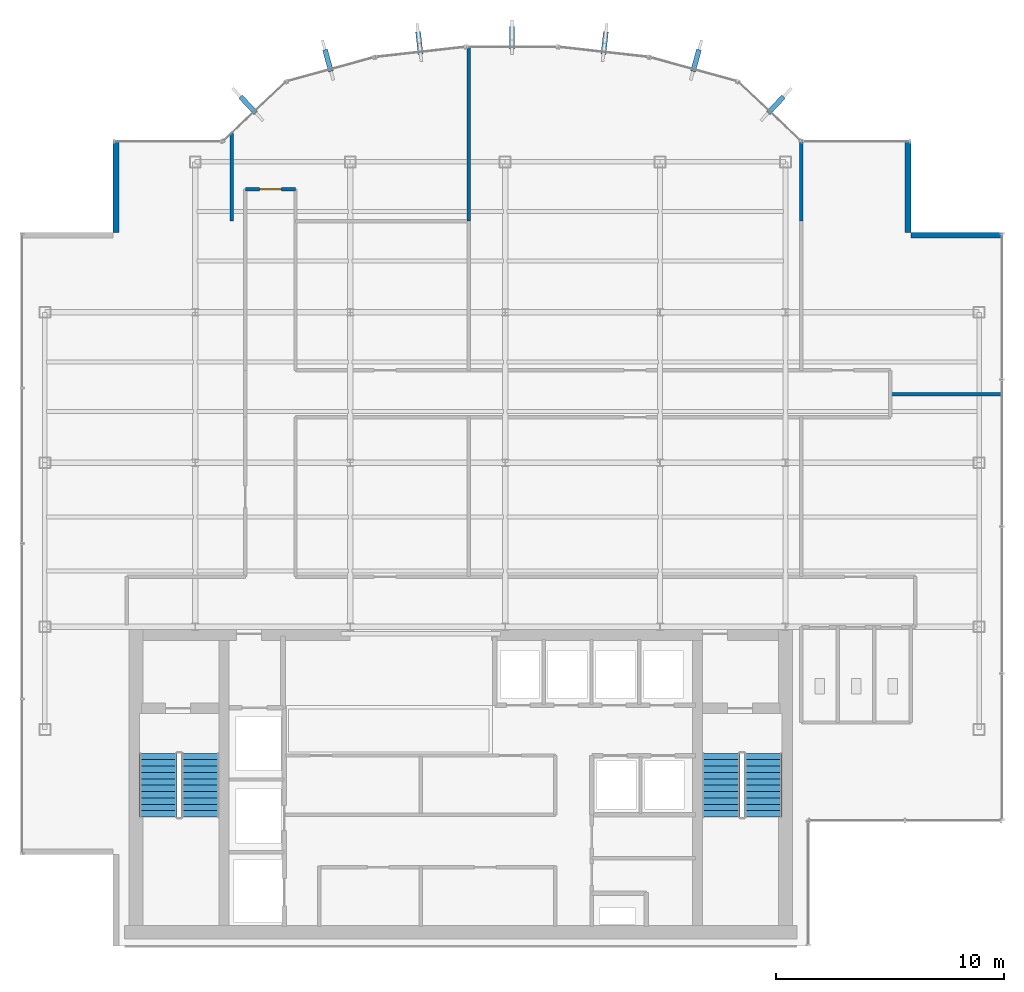
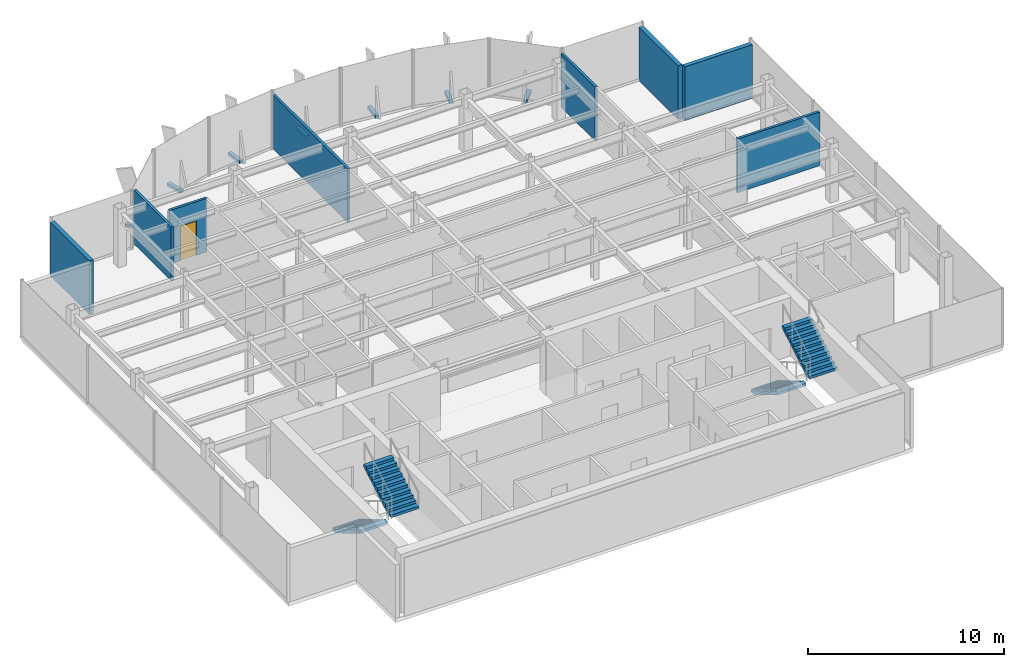
# One storey, part 19 of 22: 8 walls, 7 discrete accessories, 4 stair flights, 1 door, 1 opening, 2 elements without a shape of their own.
"""IFC4 building model written with IfcOpenShell, lengths in metres."""

from ifc_helpers import new_model, si_unit, derived_unit, direction, frame, frame_2d, origin, origin_2d, place, context, subcontext, project, spatial, polyline, rectangle, outline, extrude, source, transform, mapped, material, layer, layer_set, type_object, element, fill, aggregate, save


model = new_model("IFC4")

# Units and contexts
model_context = context("Model", 3, precision=1e-05, world=origin(), true_north=direction((0.0, 1.0)))
body_context = subcontext(model_context, "Body", "Model", "MODEL_VIEW")
ifc_project = project(units=[si_unit("LENGTHUNIT", "METRE"), si_unit("AREAUNIT", "SQUARE_METRE"), si_unit("VOLUMEUNIT", "CUBIC_METRE"), si_unit("PLANEANGLEUNIT", "RADIAN"), si_unit("MASSUNIT", "GRAM", prefix="KILO"), derived_unit("THERMALTRANSMITTANCEUNIT", [(si_unit("POWERUNIT", "WATT"), 1), (si_unit("LENGTHUNIT", "METRE"), -2), (si_unit("THERMODYNAMICTEMPERATUREUNIT", "KELVIN"), -1)])], contexts=[model_context])

# Site, building, storey
site_placement = place(None, origin())
site = spatial("IfcSite", under=ifc_project, at=site_placement, CompositionType="ELEMENT")
building_placement = place(site_placement, origin())
building = spatial("IfcBuilding", under=site, at=building_placement, Name="Skarnbrae Concourse Arena and Tower", CompositionType="ELEMENT")
storey_placement = place(building_placement, frame((0.0, 0.0, 232.39990234375)))
storey = spatial("IfcBuildingStorey", under=building, at=storey_placement, Name="L60", CompositionType="ELEMENT", Elevation=232.39990234375)

# Walls
ifc_material_1 = material(Name="Precast concrete 40 MPa (C40/50)", Category="concrete")
ifc_layer_1 = layer(ifc_material_1, 0.25)
ifc_layer_set_1 = layer_set([ifc_layer_1], Name="Precast concrete 40 MPa (C40/50)")
wall_type_1 = type_object("IfcWallType", Name="WALL-EXT-SPANDREL-250", PredefinedType="STANDARD", material=ifc_layer_set_1)
shared_shape_1 = source(origin(), body_context, "Body", "SweptSolid", [
    extrude(rectangle(XDim=4.0, YDim=0.25, at=frame_2d((2.0, 0.0))), origin(), (0.0, 0.0, 1.0), 3.35009765625),
])
for number, where, z_axis, x_axis, name in (
    (1, (43.0, 31.175048828125, 0.0), (0.0, 0.0, 1.0), (-1.0, 0.0, 0.0), "L60 Notched corner insulated return wall 05"),
    (2, (38.875, 31.300048828125, 0.0), (0.0, 0.0, 1.0), (0.0, 1.0, 0.0), "L60 Notched corner insulated return wall 06"),
    (3, (4.125, 35.300048828125, 0.0), (0.0, 0.0, 1.0), (0.0, -1.0, 0.0), "L60 Notched corner insulated return wall 16"),
):
    element("IfcWall", number, at=place(storey_placement, frame(where, z_axis=z_axis, x_axis=x_axis)), inside=storey, type_object=wall_type_1, Name=name, PredefinedType="STANDARD", context=body_context, shape_type="MappedRepresentation", body=[
        mapped(shared_shape_1, transform((0.0, 0.0, 0.0))),
    ])

# Wall, opening, door
ifc_material_2 = material(Name="Gypsum board on cold-formed steel studs", Category="steel")
ifc_layer_2 = layer(ifc_material_2, 0.14990234375)
ifc_layer_set_2 = layer_set([ifc_layer_2], Name="Gypsum board on cold-formed steel studs")
wall_type_2 = type_object("IfcWallType", Name="WALL-PART-150-1HR", PredefinedType="PARTITIONING", material=ifc_layer_set_2)
shared_shape_2 = source(origin(), body_context, "Body", "SweptSolid", [
    extrude(rectangle(XDim=2.199951171875, YDim=0.14990234375, at=frame_2d((1.10009765625, 0.0))), origin(), (0.0, 0.0, 1.0), 3.35009765625),
])
wall_1_placement = place(storey_placement, frame((9.800048828125, 33.199951171875, 0.0), z_axis=(0.0, 0.0, 1.0), x_axis=(1.0, 0.0, 0.0)))
wall_1 = element("IfcWall", 4, at=wall_1_placement, inside=storey, type_object=wall_type_2, Name="L60 Interior partition wall W-L60-COR-06", PredefinedType="PARTITIONING", context=body_context, shape_type="MappedRepresentation", body=[
    mapped(shared_shape_2, transform((0.0, 0.0, 0.0))),
])
opening_placement = place(wall_1_placement, frame((0.625, 0.0, 0.0)))
opening = element("IfcOpeningElement", 5, at=opening_placement, cuts=wall_1, Name="Opening DT-04", PredefinedType="OPENING", context=body_context, shape_type="SweptSolid", body=[
    extrude(rectangle(XDim=0.949951171875, YDim=2.14990234375, at=frame_2d((0.47509765625, 1.074951171875))), frame((0.0, 0.0849609375, 0.0), z_axis=(0.0, -1.0, 0.0), x_axis=(1.0, 0.0, 0.0)), (0.0, 0.0, 1.0), 0.169921875),
])
ifc_material_3 = material(Name="Steel CSA G40.21 350W", Category="steel")
door_type = type_object("IfcDoorType", Name="DOOR-INT-950-45M", OperationType="NOTDEFINED", PredefinedType="DOOR", material=ifc_material_3)
shared_shape_3 = source(origin(), body_context, "Body", "SweptSolid", [
    extrude(rectangle(XDim=0.949951171875, YDim=2.14990234375, at=frame_2d((0.47509765625, 1.074951171875))), frame((0.0, 0.02490234375, 0.0), z_axis=(0.0, -1.0, 0.0), x_axis=(1.0, 0.0, 0.0)), (0.0, 0.0, 1.0), 0.050048828125),
])
door_placement = place(opening_placement, origin())
door = element("IfcDoor", 6, at=door_placement, inside=storey, type_object=door_type, Name="D-1841 L60 Suite Door 02", OperationType="SINGLE_SWING_LEFT", OverallHeight=2.14990234375, OverallWidth=0.949951171875, PredefinedType="DOOR", context=body_context, shape_type="MappedRepresentation", body=[
    mapped(shared_shape_3, transform((0.0, 0.0, 0.0))),
])
fill(opening, door)

# Walls
ifc_layer_3 = layer(ifc_material_2, 0.14990234375)
ifc_layer_set_3 = layer_set([ifc_layer_3], Name="Gypsum board on cold-formed steel studs")
wall_type_3 = type_object("IfcWallType", Name="WALL-PART-150", PredefinedType="PARTITIONING", material=ifc_layer_set_3)
shared_shape_4 = source(origin(), body_context, "Body", "SweptSolid", [
    extrude(rectangle(XDim=3.84912109375, YDim=0.14990234375, at=frame_2d((1.924560546875, 0.0))), origin(), (0.0, 0.0, 1.0), 3.35009765625),
])
wall_2_placement = place(storey_placement, frame((9.199951171875, 35.649169921875, 0.0), z_axis=(0.0, 0.0, 1.0), x_axis=(0.0, -1.0, 0.0)))
element("IfcWall", 7, at=wall_2_placement, inside=storey, type_object=wall_type_3, Name="L60 Interior partition wall W-L60-DEM-15", PredefinedType="PARTITIONING", context=body_context, shape_type="MappedRepresentation", body=[
    mapped(shared_shape_4, transform((0.0, 0.0, 0.0))),
])
shared_shape_5 = source(origin(), body_context, "Body", "SweptSolid", [
    extrude(rectangle(XDim=7.626708984375, YDim=0.14990234375, at=frame_2d((3.8134765625, 0.0))), origin(), (0.0, 0.0, 1.0), 3.35009765625),
])
wall_3_placement = place(storey_placement, frame((19.60009765625, 39.4267578125, 0.0), z_axis=(0.0, 0.0, 1.0), x_axis=(0.0, -1.0, 0.0)))
element("IfcWall", 8, at=wall_3_placement, inside=storey, type_object=wall_type_3, Name="L60 Interior partition wall W-L60-DEM-19", PredefinedType="PARTITIONING", context=body_context, shape_type="MappedRepresentation", body=[
    mapped(shared_shape_5, transform((0.0, 0.0, 0.0))),
])
shared_shape_6 = source(origin(), body_context, "Body", "SweptSolid", [
    extrude(rectangle(XDim=3.47998046875, YDim=0.14990234375, at=frame_2d((1.739990234375, 0.0))), origin(), (0.0, 0.0, 1.0), 3.35009765625),
])
wall_4_placement = place(storey_placement, frame((34.199951171875, 35.280029296875, 0.0), z_axis=(0.0, 0.0, 1.0), x_axis=(0.0, -1.0, 0.0)))
element("IfcWall", 9, at=wall_4_placement, inside=storey, type_object=wall_type_3, Name="L60 Interior partition wall W-L60-DEM-21", PredefinedType="PARTITIONING", context=body_context, shape_type="MappedRepresentation", body=[
    mapped(shared_shape_6, transform((0.0, 0.0, 0.0))),
])
shared_shape_7 = source(origin(), body_context, "Body", "SweptSolid", [
    extrude(rectangle(XDim=4.8798828125, YDim=0.14990234375, at=frame_2d((2.43994140625, 0.0))), origin(), (0.0, 0.0, 1.0), 3.35009765625),
])
wall_5_placement = place(storey_placement, frame((42.97998046875, 24.199951171875, 0.0), z_axis=(0.0, 0.0, 1.0), x_axis=(-1.0, 0.0, 0.0)))
element("IfcWall", 10, at=wall_5_placement, inside=storey, type_object=wall_type_3, Name="L60 Interior partition wall W-L60-DEM-23", PredefinedType="PARTITIONING", context=body_context, shape_type="MappedRepresentation", body=[
    mapped(shared_shape_7, transform((0.0, 0.0, 0.0))),
])

# Stair, stair flights
ifc_material_4 = material(Name="Concrete 40 MPa (C40/50)", Category="concrete")
stair_type = type_object("IfcStairType", Name="STAIR-DOGLEG-1650", PredefinedType="HALF_TURN_STAIR", material=ifc_material_4)
stair_1_placement = place(storey_placement, origin())
stair_1 = element("IfcStair", 11, at=stair_1_placement, inside=storey, type_object=stair_type, Name="L60 Protected Exit Stair ST-1", PredefinedType="HALF_TURN_STAIR")
stair_flight_type = type_object("IfcStairFlightType", Name="FLIGHT-STRAIGHT-1650", PredefinedType="STRAIGHT", material=ifc_material_4)
shared_shape_8 = source(origin(), body_context, "Body", "SweptSolid", [
    extrude(outline(polyline([(0.0, 0.0), (0.0, 0.166015625), (0.280029296875, 0.166015625), (0.280029296875, 0.331787109375), (0.56005859375, 0.331787109375), (0.56005859375, 0.497802734375), (0.840087890625, 0.497802734375), (0.840087890625, 0.66357421875), (1.1201171875, 0.66357421875), (1.1201171875, 0.82958984375), (1.39990234375, 0.82958984375), (1.39990234375, 0.995361328125), (1.679931640625, 0.995361328125), (1.679931640625, 1.161376953125), (1.9599609375, 1.161376953125), (1.9599609375, 1.327392578125), (2.239990234375, 1.327392578125), (2.239990234375, 1.4931640625), (2.52001953125, 1.4931640625), (2.52001953125, 1.6591796875), (2.800048828125, 1.6591796875), (2.800048828125, 1.824951171875), (2.800048828125, 1.48486328125), (0.2939453125, 0.0), (0.0, 0.0)])), frame((0.0, 0.824951171875, 0.0), z_axis=(0.0, -1.0, 0.0), x_axis=(1.0, 0.0, 0.0)), (0.0, 0.0, 1.0), 1.64990234375),
])
stair_flight_1_placement = place(storey_placement, frame((5.97509765625, 8.449951171875, 0.0), z_axis=(0.0, 0.0, 1.0), x_axis=(0.0, -1.0, 0.0)))
stair_flight_1 = element("IfcStairFlight", 12, at=stair_flight_1_placement, type_object=stair_flight_type, Name="ST-1 flight 1", NumberOfRisers=11, NumberOfTreads=10, PredefinedType="STRAIGHT", RiserHeight=0.165909091, TreadLength=0.28, context=body_context, shape_type="MappedRepresentation", body=[
    mapped(shared_shape_8, transform((0.0, 0.0, 0.0))),
])
stair_flight_2_placement = place(storey_placement, frame((7.824951171875, 5.64990234375, 1.8251953125), z_axis=(0.0, 0.0, 1.0), x_axis=(0.0, 1.0, 0.0)))
stair_flight_2 = element("IfcStairFlight", 13, at=stair_flight_2_placement, type_object=stair_flight_type, Name="ST-1 flight 2", NumberOfRisers=11, NumberOfTreads=10, PredefinedType="STRAIGHT", RiserHeight=0.165909091, TreadLength=0.28, context=body_context, shape_type="MappedRepresentation", body=[
    mapped(shared_shape_8, transform((0.0, 0.0, 0.0))),
])
aggregate(stair_1, [stair_flight_1, stair_flight_2])

stair_2_placement = place(storey_placement, origin())
stair_2 = element("IfcStair", 14, at=stair_2_placement, inside=storey, type_object=stair_type, Name="L60 Protected Exit Stair ST-2", PredefinedType="HALF_TURN_STAIR")
stair_flight_3_placement = place(storey_placement, frame((30.675048828125, 8.449951171875, 0.0), z_axis=(0.0, 0.0, 1.0), x_axis=(0.0, -1.0, 0.0)))
stair_flight_3 = element("IfcStairFlight", 15, at=stair_flight_3_placement, type_object=stair_flight_type, Name="ST-2 flight 1", NumberOfRisers=11, NumberOfTreads=10, PredefinedType="STRAIGHT", RiserHeight=0.165909091, TreadLength=0.28, context=body_context, shape_type="MappedRepresentation", body=[
    mapped(shared_shape_8, transform((0.0, 0.0, 0.0))),
])
stair_flight_4_placement = place(storey_placement, frame((32.52490234375, 5.64990234375, 1.8251953125), z_axis=(0.0, 0.0, 1.0), x_axis=(0.0, 1.0, 0.0)))
stair_flight_4 = element("IfcStairFlight", 16, at=stair_flight_4_placement, type_object=stair_flight_type, Name="ST-2 flight 2", NumberOfRisers=11, NumberOfTreads=10, PredefinedType="STRAIGHT", RiserHeight=0.165909091, TreadLength=0.28, context=body_context, shape_type="MappedRepresentation", body=[
    mapped(shared_shape_8, transform((0.0, 0.0, 0.0))),
])
aggregate(stair_2, [stair_flight_3, stair_flight_4])

# Discrete accessories
ifc_material_5 = material(Name="Bronze anodised aluminium 6063-T6", Category="aluminium")
discrete_accessory_type = type_object("IfcDiscreteAccessoryType", Name="ACC-FIN-BRACKET", PredefinedType="BRACKET", material=ifc_material_5)
shared_shape_9 = source(origin(), body_context, "Body", "SweptSolid", [
    extrude(rectangle(XDim=0.219970703125, YDim=0.97998046875, at=origin_2d()), origin(), (0.0, 0.0, 1.0), 0.179931640625),
])
for number, where, z_axis, x_axis, name in (
    (17, (33.0791015625, 36.904541015625, -0.02978515625), (0.0, 0.0, 1.0), (0.728131751529, -0.685437198009, 0.0), "L60 Bronze fin foot support bracket 08"),
    (18, (29.573974609375, 38.847412109375, -0.02978515625), (0.0, 0.0, 1.0), (0.964058316208, -0.265690728011, 0.0), "L60 Bronze fin foot support bracket 09"),
    (19, (25.566162109375, 39.619384765625, -0.02978515625), (0.0, 0.0, 1.0), (0.993769864509, -0.111451587667, 0.0), "L60 Bronze fin foot support bracket 10"),
    (20, (21.5, 39.8466796875, -0.02978515625), (0.0, 0.0, 1.0), (1.0, 0.0, 0.0), "L60 Bronze fin foot support bracket 11"),
    (21, (17.433837890625, 39.619384765625, -0.02978515625), (0.0, 0.0, 1.0), (0.993769864509, 0.111451587667, 0.0), "L60 Bronze fin foot support bracket 12"),
    (22, (13.426025390625, 38.847412109375, -0.02978515625), (0.0, 0.0, 1.0), (0.964058316208, 0.265690728011, 0.0), "L60 Bronze fin foot support bracket 13"),
    (23, (9.9208984375, 36.904541015625, -0.02978515625), (0.0, 0.0, 1.0), (0.728131751529, 0.685437198009, 0.0), "L60 Bronze fin foot support bracket 14"),
):
    element("IfcDiscreteAccessory", number, at=place(storey_placement, frame(where, z_axis=z_axis, x_axis=x_axis)), inside=storey, type_object=discrete_accessory_type, Name=name, PredefinedType="BRACKET", context=body_context, shape_type="MappedRepresentation", body=[
        mapped(shared_shape_9, transform((0.0, 0.0, 0.0))),
    ])

save(model, "model.ifc")
